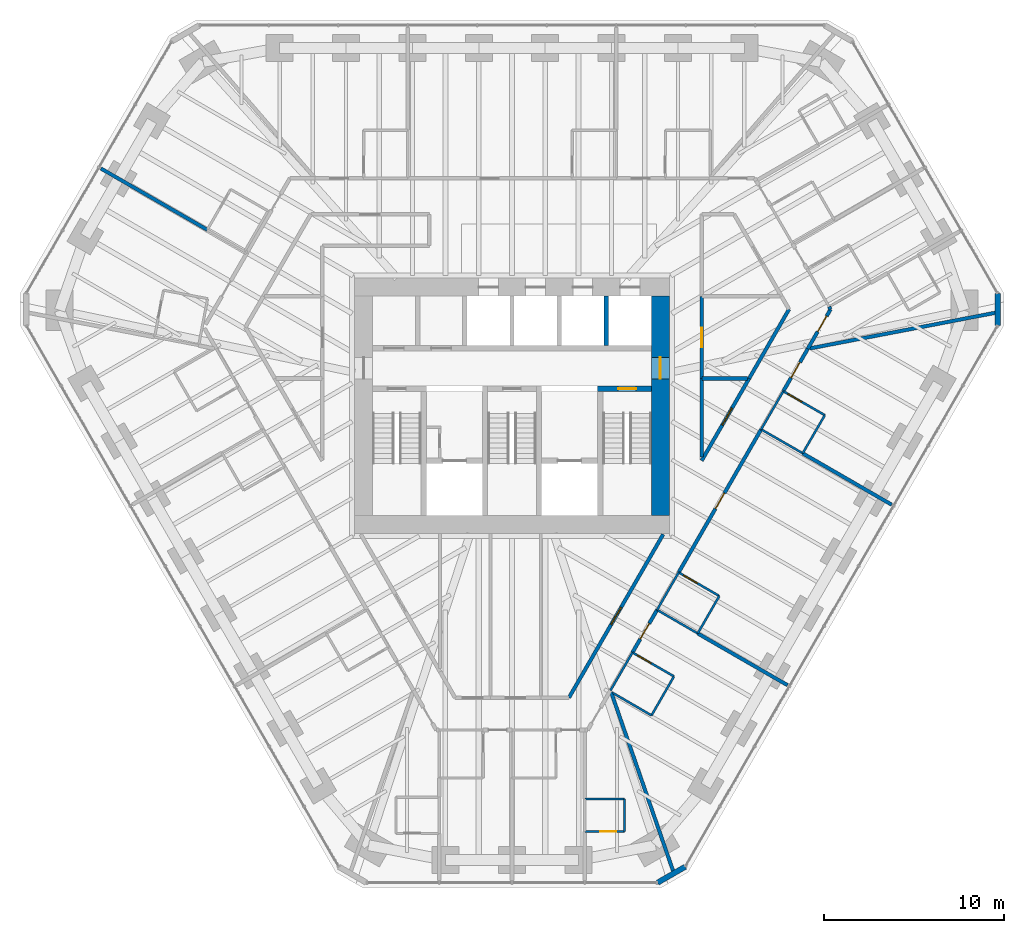
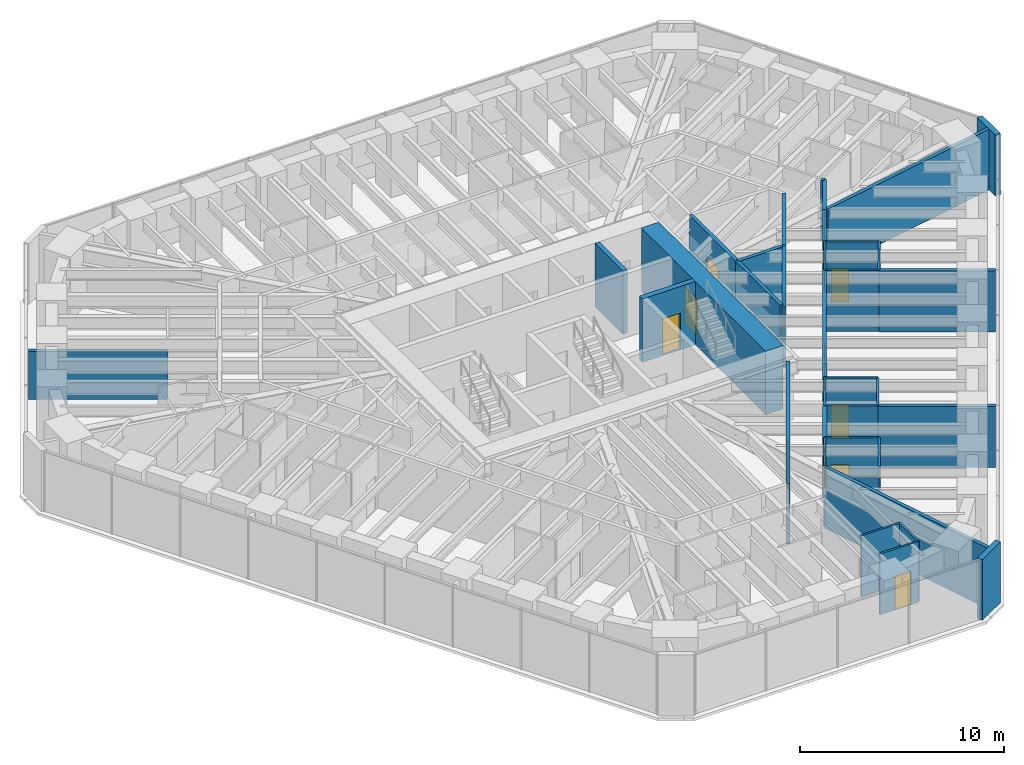
# One storey, part 13 of 17: 36 walls, 13 doors, 13 openings.
"""IFC4 building model written with IfcOpenShell, lengths in metres."""

from ifc_helpers import new_model, si_unit, direction, frame, frame_2d, origin, place, context, subcontext, project, spatial, rectangle, extrude, material, layer, layer_set, type_object, element, fill, save


model = new_model("IFC4")

# Units and contexts
model_context = context("Model", 3, precision=1e-05, world=origin(), true_north=direction((0.0, 1.0)))
body_context = subcontext(model_context, "Body", "Model", "MODEL_VIEW")
ifc_project = project(units=[si_unit("LENGTHUNIT", "METRE"), si_unit("AREAUNIT", "SQUARE_METRE"), si_unit("VOLUMEUNIT", "CUBIC_METRE"), si_unit("PLANEANGLEUNIT", "RADIAN"), si_unit("MASSUNIT", "GRAM", prefix="KILO")], contexts=[model_context])

# Site, building, storey
site_placement = place(None, origin())
site = spatial("IfcSite", under=ifc_project, at=site_placement, CompositionType="ELEMENT")
building_placement = place(site_placement, origin())
building = spatial("IfcBuilding", under=site, at=building_placement, Name="Sandreach Pilgrim Tower", CompositionType="ELEMENT")
storey_placement = place(building_placement, frame((0.0, 0.0, 221.199951171875)))
storey = spatial("IfcBuildingStorey", under=building, at=storey_placement, Name="L55", CompositionType="ELEMENT", Elevation=221.199951171875)

# Wall, opening, door
ifc_material_1 = material(Name="Moisture-resistant gypsum board on steel studs", Category="steel")
ifc_layer_1 = layer(ifc_material_1, 0.1201171875)
ifc_layer_set_1 = layer_set([ifc_layer_1], Name="Bathroom partition 120")
wall_type_1 = type_object("IfcWallType", Name="Bathroom partition 120", PredefinedType="PARTITIONING", material=ifc_layer_set_1)
wall_1_placement = place(storey_placement, frame((4.050048828125, -23.679931640625, 0.0), z_axis=(0.0, 0.0, 1.0), x_axis=(1.0, 0.0, 0.0)))
wall_1 = element("IfcWall", 1, at=wall_1_placement, inside=storey, type_object=wall_type_1, Name="Bathroom partition L55-085", PredefinedType="PARTITIONING", context=body_context, shape_type="SweptSolid", body=[
    extrude(rectangle(XDim=2.199951171875, YDim=0.1201171875, at=frame_2d((1.10009765625, 0.0))), origin(), (0.0, 0.0, 1.0), 3.64013671875),
])
opening_1_placement = place(wall_1_placement, frame((0.85009765625, 0.0, 0.0)))
opening_1 = element("IfcOpeningElement", 2, at=opening_1_placement, cuts=wall_1, Name="Opening D09-11B", PredefinedType="OPENING", context=body_context, shape_type="SweptSolid", body=[
    extrude(rectangle(XDim=0.89990234375, YDim=2.030029296875, at=frame_2d((0.449951171875, 1.01513671875))), frame((0.0, 0.06005859375, 0.0), z_axis=(0.0, -1.0, 0.0), x_axis=(1.0, 0.0, 0.0)), (0.0, 0.0, 1.0), 0.1201171875),
])
ifc_material_2 = material(Name="Timber door, steel frame", Category="steel")
door_type_1 = type_object("IfcDoorType", Name="Bathroom door", OperationType="SINGLE_SWING_LEFT", PredefinedType="DOOR", material=ifc_material_2)
door_1_placement = place(opening_1_placement, origin())
door_1 = element("IfcDoor", 3, at=door_1_placement, inside=storey, type_object=door_type_1, Name="Door 5511B", OperationType="SINGLE_SWING_RIGHT", OverallHeight=2.030029296875, OverallWidth=0.89990234375, PredefinedType="DOOR", context=body_context, shape_type="SweptSolid", body=[
    extrude(rectangle(XDim=0.89990234375, YDim=2.030029296875, at=frame_2d((0.449951171875, 1.01513671875))), frame((0.0, 0.02490234375, 0.0), z_axis=(0.0, -1.0, 0.0), x_axis=(1.0, 0.0, 0.0)), (0.0, 0.0, 1.0), 0.050048828125),
])
fill(opening_1, door_1)

# Walls
wall_2_placement = place(storey_placement, frame((5.47998046875, -15.830078125, 0.0), z_axis=(0.0, 0.0, 1.0), x_axis=(0.50122183301, 0.865318828013, 0.0)))
element("IfcWall", 4, at=wall_2_placement, inside=storey, type_object=wall_type_1, Name="Bathroom partition L55-089", PredefinedType="PARTITIONING", context=body_context, shape_type="SweptSolid", body=[
    extrude(rectangle(XDim=2.4375, YDim=0.1201171875, at=frame_2d((1.21875, 0.0))), origin(), (0.0, 0.0, 1.0), 3.64013671875),
])
wall_3_placement = place(storey_placement, frame((5.615234375, -15.97509765625, 0.0), z_axis=(0.0, 0.0, 1.0), x_axis=(0.864873056518, -0.501990633487, 0.0)))
element("IfcWall", 5, at=wall_3_placement, inside=storey, type_object=wall_type_1, Name="Bathroom partition L55-091", PredefinedType="PARTITIONING", context=body_context, shape_type="SweptSolid", body=[
    extrude(rectangle(XDim=2.47998046875, YDim=0.1201171875, at=frame_2d((1.239990234375, 0.0))), origin(), (0.0, 0.0, 1.0), 3.0380859375),
])
wall_4_placement = place(storey_placement, frame((6.25, -23.679931640625, 0.0), z_axis=(0.0, 0.0, 1.0), x_axis=(0.0, 1.0, 0.0)))
element("IfcWall", 6, at=wall_4_placement, inside=storey, type_object=wall_type_1, Name="Bathroom partition L55-096", PredefinedType="PARTITIONING", context=body_context, shape_type="SweptSolid", body=[
    extrude(rectangle(XDim=1.809814453125, YDim=0.1201171875, at=frame_2d((0.90478515625, 0.0))), origin(), (0.0, 0.0, 1.0), 3.64013671875),
])
wall_5_placement = place(storey_placement, frame((6.25, -21.8701171875, 0.0), z_axis=(0.0, 0.0, 1.0), x_axis=(-1.0, 0.0, 0.0)))
element("IfcWall", 7, at=wall_5_placement, inside=storey, type_object=wall_type_1, Name="Bathroom partition L55-097", PredefinedType="PARTITIONING", context=body_context, shape_type="SweptSolid", body=[
    extrude(rectangle(XDim=2.199951171875, YDim=0.1201171875, at=frame_2d((1.10009765625, 0.0))), origin(), (0.0, 0.0, 1.0), 3.64013671875),
])
wall_6_placement = place(storey_placement, frame((7.760009765625, -17.219970703125, 0.0), z_axis=(0.0, 0.0, 1.0), x_axis=(0.499159685399, 0.866510016372, 0.0)))
element("IfcWall", 8, at=wall_6_placement, inside=storey, type_object=wall_type_1, Name="Bathroom partition L55-098", PredefinedType="PARTITIONING", context=body_context, shape_type="SweptSolid", body=[
    extrude(rectangle(XDim=2.504150390625, YDim=0.1201171875, at=frame_2d((1.251953125, 0.0))), origin(), (0.0, 0.0, 1.0), 3.64013671875),
])
wall_7_placement = place(storey_placement, frame((8.070068359375, -11.35009765625, 0.0), z_axis=(0.0, 0.0, 1.0), x_axis=(0.499693115345, 0.866202511239, 0.0)))
element("IfcWall", 9, at=wall_7_placement, inside=storey, type_object=wall_type_1, Name="Bathroom partition L55-100", PredefinedType="PARTITIONING", context=body_context, shape_type="SweptSolid", body=[
    extrude(rectangle(XDim=2.4013671875, YDim=0.1201171875, at=frame_2d((1.20068359375, 0.0))), origin(), (0.0, 0.0, 1.0), 3.64013671875),
])
wall_8_placement = place(storey_placement, frame((8.070068359375, -11.35009765625, 0.0), z_axis=(0.0, 0.0, 1.0), x_axis=(0.865195830568, -0.501434118073, 0.0)))
element("IfcWall", 10, at=wall_8_placement, inside=storey, type_object=wall_type_1, Name="Bathroom partition L55-101", PredefinedType="PARTITIONING", context=body_context, shape_type="SweptSolid", body=[
    extrude(rectangle(XDim=2.612060546875, YDim=0.1201171875, at=frame_2d((1.30615234375, 0.0))), origin(), (0.0, 0.0, 1.0), 3.64013671875),
])

# Wall, opening, door
wall_9_placement = place(storey_placement, frame((9.010009765625, -15.050048828125, 0.0), z_axis=(0.0, 0.0, 1.0), x_axis=(-0.866615255992, 0.498976951453, 0.0)))
wall_9 = element("IfcWall", 11, at=wall_9_placement, inside=storey, type_object=wall_type_1, Name="Bathroom partition L55-105", PredefinedType="PARTITIONING", context=body_context, shape_type="SweptSolid", body=[
    extrude(rectangle(XDim=2.66552734375, YDim=0.1201171875, at=frame_2d((1.332763671875, 0.0))), origin(), (0.0, 0.0, 1.0), 3.64013671875),
])
opening_2_placement = place(wall_9_placement, frame((1.465576171875, 0.0, 0.0)))
opening_2 = element("IfcOpeningElement", 12, at=opening_2_placement, cuts=wall_9, Name="Opening D09-10B", PredefinedType="OPENING", context=body_context, shape_type="SweptSolid", body=[
    extrude(rectangle(XDim=0.89990234375, YDim=2.030029296875, at=frame_2d((0.449951171875, 1.01513671875))), frame((0.0, 0.06005859375, 0.0), z_axis=(0.0, -1.0, 0.0), x_axis=(1.0, 0.0, 0.0)), (0.0, 0.0, 1.0), 0.1201171875),
])
door_2_placement = place(opening_2_placement, origin())
door_2 = element("IfcDoor", 13, at=door_2_placement, inside=storey, type_object=door_type_1, Name="Door 5510B", OperationType="SINGLE_SWING_RIGHT", OverallHeight=2.030029296875, OverallWidth=0.89990234375, PredefinedType="DOOR", context=body_context, shape_type="SweptSolid", body=[
    extrude(rectangle(XDim=0.89990234375, YDim=2.030029296875, at=frame_2d((0.449951171875, 1.01513671875))), frame((0.0, 0.02490234375, 0.0), z_axis=(0.0, -1.0, 0.0), x_axis=(1.0, 0.0, 0.0)), (0.0, 0.0, 1.0), 0.050048828125),
])
fill(opening_2, door_2)

# Wall
wall_10_placement = place(storey_placement, frame((10.330078125, -12.659912109375, 0.0), z_axis=(0.0, 0.0, 1.0), x_axis=(0.499737123639, 0.866177122335, 0.0)))
element("IfcWall", 14, at=wall_10_placement, inside=storey, type_object=wall_type_1, Name="Bathroom partition L55-107", PredefinedType="PARTITIONING", context=body_context, shape_type="SweptSolid", body=[
    extrude(rectangle(XDim=2.401123046875, YDim=0.1201171875, at=frame_2d((1.20068359375, 0.0))), origin(), (0.0, 0.0, 1.0), 3.64013671875),
])

# Wall, opening, door
wall_11_placement = place(storey_placement, frame((11.530029296875, -10.580078125, 0.0), z_axis=(0.0, 0.0, 1.0), x_axis=(-0.865155281359, 0.50150407689, 0.0)))
wall_11 = element("IfcWall", 15, at=wall_11_placement, inside=storey, type_object=wall_type_1, Name="Bathroom partition L55-118", PredefinedType="PARTITIONING", context=body_context, shape_type="SweptSolid", body=[
    extrude(rectangle(XDim=2.6123046875, YDim=0.1201171875, at=frame_2d((1.30615234375, 0.0))), origin(), (0.0, 0.0, 1.0), 3.64013671875),
])
opening_3_placement = place(wall_11_placement, frame((1.412109375, 0.0, 0.0)))
opening_3 = element("IfcOpeningElement", 16, at=opening_3_placement, cuts=wall_11, Name="Opening D09-09B", PredefinedType="OPENING", context=body_context, shape_type="SweptSolid", body=[
    extrude(rectangle(XDim=0.89990234375, YDim=2.030029296875, at=frame_2d((0.449951171875, 1.01513671875))), frame((0.0, 0.06005859375, 0.0), z_axis=(0.0, -1.0, 0.0), x_axis=(1.0, 0.0, 0.0)), (0.0, 0.0, 1.0), 0.1201171875),
])
door_3_placement = place(opening_3_placement, origin())
door_3 = element("IfcDoor", 17, at=door_3_placement, inside=storey, type_object=door_type_1, Name="Door 5509B", OperationType="SINGLE_SWING_RIGHT", OverallHeight=2.030029296875, OverallWidth=0.89990234375, PredefinedType="DOOR", context=body_context, shape_type="SweptSolid", body=[
    extrude(rectangle(XDim=0.89990234375, YDim=2.030029296875, at=frame_2d((0.449951171875, 1.01513671875))), frame((0.0, 0.02490234375, 0.0), z_axis=(0.0, -1.0, 0.0), x_axis=(1.0, 0.0, 0.0)), (0.0, 0.0, 1.0), 0.050048828125),
])
fill(opening_3, door_3)

# Walls
wall_12_placement = place(storey_placement, frame((13.860107421875, -1.31005859375, 0.0), z_axis=(0.0, 0.0, 1.0), x_axis=(0.501813488763, 0.864975850817, 0.0)))
element("IfcWall", 18, at=wall_12_placement, inside=storey, type_object=wall_type_1, Name="Bathroom partition L55-125", PredefinedType="PARTITIONING", context=body_context, shape_type="SweptSolid", body=[
    extrude(rectangle(XDim=2.451171875, YDim=0.1201171875, at=frame_2d((1.2255859375, 0.0))), origin(), (0.0, 0.0, 1.0), 3.64013671875),
])
wall_13_placement = place(storey_placement, frame((16.169921875, -2.639892578125, 0.0), z_axis=(0.0, 0.0, 1.0), x_axis=(-0.86663205897, 0.498947767172, 0.0)))
element("IfcWall", 19, at=wall_13_placement, inside=storey, type_object=wall_type_1, Name="Bathroom partition L55-134", PredefinedType="PARTITIONING", context=body_context, shape_type="SweptSolid", body=[
    extrude(rectangle(XDim=2.665283203125, YDim=0.1201171875, at=frame_2d((1.33251953125, 0.0))), origin(), (0.0, 0.0, 1.0), 3.64013671875),
])
wall_14_placement = place(storey_placement, frame((16.169921875, -2.639892578125, 0.0), z_axis=(0.0, 0.0, 1.0), x_axis=(0.501856726365, 0.86495076519, 0.0)))
element("IfcWall", 20, at=wall_14_placement, inside=storey, type_object=wall_type_1, Name="Bathroom partition L55-135", PredefinedType="PARTITIONING", context=body_context, shape_type="SweptSolid", body=[
    extrude(rectangle(XDim=2.450927734375, YDim=0.1201171875, at=frame_2d((1.2255859375, 0.0))), origin(), (0.0, 0.0, 1.0), 3.64013671875),
])

# Wall, opening, door
wall_15_placement = place(storey_placement, frame((17.39990234375, -0.52001953125, 0.0), z_axis=(0.0, 0.0, 1.0), x_axis=(-0.866592449628, 0.499016559092, 0.0)))
wall_15 = element("IfcWall", 21, at=wall_15_placement, inside=storey, type_object=wall_type_1, Name="Bathroom partition L55-140", PredefinedType="PARTITIONING", context=body_context, shape_type="SweptSolid", body=[
    extrude(rectangle(XDim=2.665283203125, YDim=0.1201171875, at=frame_2d((1.33251953125, 0.0))), origin(), (0.0, 0.0, 1.0), 3.64013671875),
])
opening_4_placement = place(wall_15_placement, frame((1.465576171875, 0.0, 0.0)))
opening_4 = element("IfcOpeningElement", 22, at=opening_4_placement, cuts=wall_15, Name="Opening D09-08B", PredefinedType="OPENING", context=body_context, shape_type="SweptSolid", body=[
    extrude(rectangle(XDim=0.89990234375, YDim=2.030029296875, at=frame_2d((0.449951171875, 1.01513671875))), frame((0.0, 0.06005859375, 0.0), z_axis=(0.0, -1.0, 0.0), x_axis=(1.0, 0.0, 0.0)), (0.0, 0.0, 1.0), 0.1201171875),
])
door_4_placement = place(opening_4_placement, origin())
door_4 = element("IfcDoor", 23, at=door_4_placement, inside=storey, type_object=door_type_1, Name="Door 5508B", OperationType="SINGLE_SWING_RIGHT", OverallHeight=2.030029296875, OverallWidth=0.89990234375, PredefinedType="DOOR", context=body_context, shape_type="SweptSolid", body=[
    extrude(rectangle(XDim=0.89990234375, YDim=2.030029296875, at=frame_2d((0.449951171875, 1.01513671875))), frame((0.0, 0.02490234375, 0.0), z_axis=(0.0, -1.0, 0.0), x_axis=(1.0, 0.0, 0.0)), (0.0, 0.0, 1.0), 0.050048828125),
])
fill(opening_4, door_4)

ifc_material_3 = material(Name="Concrete 10000 psi", Category="concrete")
ifc_layer_2 = layer(ifc_material_3, 0.300048828125)
ifc_layer_set_2 = layer_set([ifc_layer_2], Name="Core inner wall 300")
wall_type_2 = type_object("IfcWallType", Name="Core inner wall 300", PredefinedType="SHEAR", material=ifc_layer_set_2)
wall_16_placement = place(storey_placement, frame((4.75, 0.949951171875, 0.0), z_axis=(0.0, 0.0, 1.0), x_axis=(1.0, 0.0, 0.0)))
wall_16 = element("IfcWall", 24, at=wall_16_placement, inside=storey, type_object=wall_type_2, Name="Core wall SN2 L55", PredefinedType="SHEAR", context=body_context, shape_type="SweptSolid", body=[
    extrude(rectangle(XDim=3.0, YDim=0.300048828125, at=frame_2d((1.5, 0.0))), origin(), (0.0, 0.0, 1.0), 3.800048828125),
])
opening_5_placement = place(wall_16_placement, frame((1.14990234375, 0.0, 0.0)))
opening_5 = element("IfcOpeningElement", 25, at=opening_5_placement, cuts=wall_16, Name="Opening D10S-ST2", PredefinedType="OPENING", context=body_context, shape_type="SweptSolid", body=[
    extrude(rectangle(XDim=1.0, YDim=2.199951171875, at=frame_2d((0.5, 1.10009765625))), frame((0.0, 0.14990234375, 0.0), z_axis=(0.0, -1.0, 0.0), x_axis=(1.0, 0.0, 0.0)), (0.0, 0.0, 1.0), 0.300048828125),
])
ifc_material_4 = material(Name="Steel door and frame", Category="steel")
door_type_2 = type_object("IfcDoorType", Name="Stair door", OperationType="SINGLE_SWING_LEFT", PredefinedType="DOOR", material=ifc_material_4)
door_5_placement = place(opening_5_placement, origin())
door_5 = element("IfcDoor", 26, at=door_5_placement, inside=storey, type_object=door_type_2, Name="Stair door ST2 L55", OperationType="SINGLE_SWING_RIGHT", OverallHeight=2.199951171875, OverallWidth=1.0, PredefinedType="DOOR", context=body_context, shape_type="SweptSolid", body=[
    extrude(rectangle(XDim=1.0, YDim=2.199951171875, at=frame_2d((0.5, 1.10009765625))), frame((0.0, 0.02490234375, 0.0), z_axis=(0.0, -1.0, 0.0), x_axis=(1.0, 0.0, 0.0)), (0.0, 0.0, 1.0), 0.050048828125),
])
fill(opening_5, door_5)

ifc_material_5 = material(Name="Concrete 10000 psi", Category="concrete")
ifc_layer_3 = layer(ifc_material_5, 1.0)
ifc_layer_set_3 = layer_set([ifc_layer_3], Name="Core wall 1000")
wall_type_3 = type_object("IfcWallType", Name="Core wall 1000", PredefinedType="SHEAR", material=ifc_layer_set_3)
wall_17_placement = place(storey_placement, frame((8.25, -6.10009765625, 0.0), z_axis=(0.0, 0.0, 1.0), x_axis=(0.0, 1.0, 0.0)))
wall_17 = element("IfcWall", 27, at=wall_17_placement, inside=storey, type_object=wall_type_3, Name="Core wall E L55", PredefinedType="SHEAR", context=body_context, shape_type="SweptSolid", body=[
    extrude(rectangle(XDim=12.2001953125, YDim=1.0, at=frame_2d((6.10009765625, 0.0))), origin(), (0.0, 0.0, 1.0), 3.800048828125),
])
opening_6_placement = place(wall_17_placement, frame((7.60009765625, 0.0, 0.0)))
opening_6 = element("IfcOpeningElement", 28, at=opening_6_placement, cuts=wall_17, Name="Opening D12F-E", PredefinedType="OPENING", context=body_context, shape_type="SweptSolid", body=[
    extrude(rectangle(XDim=1.199951171875, YDim=2.199951171875, at=frame_2d((0.60009765625, 1.10009765625))), frame((0.0, 0.5, 0.0), z_axis=(0.0, -1.0, 0.0), x_axis=(1.0, 0.0, 0.0)), (0.0, 0.0, 1.0), 1.0),
])
ifc_material_6 = material(Name="Steel door and frame", Category="steel")
door_type_3 = type_object("IfcDoorType", Name="Fire lobby door", OperationType="SINGLE_SWING_LEFT", PredefinedType="DOOR", material=ifc_material_6)
door_6_placement = place(opening_6_placement, origin())
door_6 = element("IfcDoor", 29, at=door_6_placement, inside=storey, type_object=door_type_3, Name="Fire service lobby door E L55", OperationType="SINGLE_SWING_RIGHT", OverallHeight=2.199951171875, OverallWidth=1.199951171875, PredefinedType="DOOR", context=body_context, shape_type="SweptSolid", body=[
    extrude(rectangle(XDim=1.199951171875, YDim=2.199951171875, at=frame_2d((0.60009765625, 1.10009765625))), frame((0.0, 0.02490234375, 0.0), z_axis=(0.0, -1.0, 0.0), x_axis=(1.0, 0.0, 0.0)), (0.0, 0.0, 1.0), 0.050048828125),
])
fill(opening_6, door_6)

ifc_material_7 = material(Name="Gypsum board on steel studs, two layers each side", Category="steel")
ifc_layer_4 = layer(ifc_material_7, 0.199951171875)
ifc_layer_set_4 = layer_set([ifc_layer_4], Name="Corridor wall 200")
wall_type_4 = type_object("IfcWallType", Name="Corridor wall 200", PredefinedType="PARTITIONING", material=ifc_layer_set_4)
wall_18_placement = place(storey_placement, frame((8.070068359375, -11.35009765625, 0.0), z_axis=(0.0, 0.0, 1.0), x_axis=(-0.499889730522, -0.866089058537, 0.0)))
wall_18 = element("IfcWall", 30, at=wall_18_placement, inside=storey, type_object=wall_type_4, Name="Corridor wall L55-099", PredefinedType="PARTITIONING", context=body_context, shape_type="SweptSolid", body=[
    extrude(rectangle(XDim=2.7373046875, YDim=0.199951171875, at=frame_2d((1.36865234375, 0.0))), origin(), (0.0, 0.0, 1.0), 3.64013671875),
])
opening_7_placement = place(wall_18_placement, frame((0.868896484375, 0.0, 0.0)))
opening_7 = element("IfcOpeningElement", 31, at=opening_7_placement, cuts=wall_18, Name="Opening D10-10", PredefinedType="OPENING", context=body_context, shape_type="SweptSolid", body=[
    extrude(rectangle(XDim=1.0, YDim=2.1298828125, at=frame_2d((0.5, 1.06494140625))), frame((0.0, 0.10009765625, 0.0), z_axis=(0.0, -1.0, 0.0), x_axis=(1.0, 0.0, 0.0)), (0.0, 0.0, 1.0), 0.199951171875),
])
ifc_material_8 = material(Name="Steel door and frame", Category="steel")
door_type_4 = type_object("IfcDoorType", Name="Guest room entry door", OperationType="SINGLE_SWING_LEFT", PredefinedType="DOOR", material=ifc_material_8)
door_7_placement = place(opening_7_placement, origin())
door_7 = element("IfcDoor", 32, at=door_7_placement, inside=storey, type_object=door_type_4, Name="Door 5510", OperationType="SINGLE_SWING_LEFT", OverallHeight=2.1298828125, OverallWidth=1.0, PredefinedType="DOOR", context=body_context, shape_type="SweptSolid", body=[
    extrude(rectangle(XDim=1.0, YDim=2.1298828125, at=frame_2d((0.5, 1.06494140625))), frame((0.0, 0.02490234375, 0.0), z_axis=(0.0, -1.0, 0.0), x_axis=(1.0, 0.0, 0.0)), (0.0, 0.0, 1.0), 0.050048828125),
])
fill(opening_7, door_7)

wall_19_placement = place(storey_placement, frame((8.409912109375, -7.14990234375, 0.0), z_axis=(0.0, 0.0, 1.0), x_axis=(-0.499828628176, -0.866124322748, 0.0)))
wall_19 = element("IfcWall", 33, at=wall_19_placement, inside=storey, type_object=wall_type_4, Name="Corridor wall L55-102", PredefinedType="PARTITIONING", context=body_context, shape_type="SweptSolid", body=[
    extrude(rectangle(XDim=10.483642578125, YDim=0.199951171875, at=frame_2d((5.24169921875, 0.0))), origin(), (0.0, 0.0, 1.0), 3.64013671875),
])
opening_8_placement = place(wall_19_placement, frame((4.691650390625, 0.0, 0.0)))
opening_8 = element("IfcOpeningElement", 34, at=opening_8_placement, cuts=wall_19, Name="Opening D11H-S4", PredefinedType="OPENING", context=body_context, shape_type="SweptSolid", body=[
    extrude(rectangle(XDim=1.10009765625, YDim=2.199951171875, at=frame_2d((0.550048828125, 1.10009765625))), frame((0.0, 0.10009765625, 0.0), z_axis=(0.0, -1.0, 0.0), x_axis=(1.0, 0.0, 0.0)), (0.0, 0.0, 1.0), 0.199951171875),
])
ifc_material_9 = material(Name="Steel door and frame", Category="steel")
door_type_5 = type_object("IfcDoorType", Name="Back of house door", OperationType="SINGLE_SWING_LEFT", PredefinedType="DOOR", material=ifc_material_9)
door_8_placement = place(opening_8_placement, origin())
door_8 = element("IfcDoor", 35, at=door_8_placement, inside=storey, type_object=door_type_5, Name="Door 55S4", OperationType="SINGLE_SWING_LEFT", OverallHeight=2.199951171875, OverallWidth=1.10009765625, PredefinedType="DOOR", context=body_context, shape_type="SweptSolid", body=[
    extrude(rectangle(XDim=1.10009765625, YDim=2.199951171875, at=frame_2d((0.550048828125, 1.10009765625))), frame((0.0, 0.02490234375, 0.0), z_axis=(0.0, -1.0, 0.0), x_axis=(1.0, 0.0, 0.0)), (0.0, 0.0, 1.0), 0.050048828125),
])
fill(opening_8, door_8)

wall_20_placement = place(storey_placement, frame((9.27001953125, -9.27001953125, 0.0), z_axis=(0.0, 0.0, 1.0), x_axis=(0.499543028754, 0.866289075554, 0.0)))
wall_20 = element("IfcWall", 36, at=wall_20_placement, inside=storey, type_object=wall_type_4, Name="Corridor wall L55-106", PredefinedType="PARTITIONING", context=body_context, shape_type="SweptSolid", body=[
    extrude(rectangle(XDim=9.1884765625, YDim=0.199951171875, at=frame_2d((4.59423828125, 0.0))), origin(), (0.0, 0.0, 1.0), 3.64013671875),
])
opening_9_placement = place(wall_20_placement, frame((4.09423828125, 0.0, 0.0)))
opening_9 = element("IfcOpeningElement", 37, at=opening_9_placement, cuts=wall_20, Name="Opening D10-09", PredefinedType="OPENING", context=body_context, shape_type="SweptSolid", body=[
    extrude(rectangle(XDim=1.0, YDim=2.1298828125, at=frame_2d((0.5, 1.06494140625))), frame((0.0, 0.10009765625, 0.0), z_axis=(0.0, -1.0, 0.0), x_axis=(1.0, 0.0, 0.0)), (0.0, 0.0, 1.0), 0.199951171875),
])
door_9_placement = place(opening_9_placement, origin())
door_9 = element("IfcDoor", 38, at=door_9_placement, inside=storey, type_object=door_type_4, Name="Door 5509", OperationType="SINGLE_SWING_LEFT", OverallHeight=2.1298828125, OverallWidth=1.0, PredefinedType="DOOR", context=body_context, shape_type="SweptSolid", body=[
    extrude(rectangle(XDim=1.0, YDim=2.1298828125, at=frame_2d((0.5, 1.06494140625))), frame((0.0, 0.02490234375, 0.0), z_axis=(0.0, -1.0, 0.0), x_axis=(1.0, 0.0, 0.0)), (0.0, 0.0, 1.0), 0.050048828125),
])
fill(opening_9, door_9)

# Wall
wall_21_placement = place(storey_placement, frame((10.550048828125, -2.85498046875, 0.0), z_axis=(0.0, 0.0, 1.0), x_axis=(0.0, 1.0, 0.0)))
element("IfcWall", 39, at=wall_21_placement, inside=storey, type_object=wall_type_4, Name="Corridor wall L55-109", PredefinedType="PARTITIONING", context=body_context, shape_type="SweptSolid", body=[
    extrude(rectangle(XDim=4.375, YDim=0.199951171875, at=frame_2d((2.1875, 0.0))), origin(), (0.0, 0.0, 1.0), 3.64013671875),
])

# Wall, opening, door
wall_22_placement = place(storey_placement, frame((10.550048828125, 1.52001953125, 0.0), z_axis=(0.0, 0.0, 1.0), x_axis=(0.0, 1.0, 0.0)))
wall_22 = element("IfcWall", 40, at=wall_22_placement, inside=storey, type_object=wall_type_4, Name="Corridor wall L55-110", PredefinedType="PARTITIONING", context=body_context, shape_type="SweptSolid", body=[
    extrude(rectangle(XDim=4.570068359375, YDim=0.199951171875, at=frame_2d((2.28515625, 0.0))), origin(), (0.0, 0.0, 1.0), 3.64013671875),
])
opening_10_placement = place(wall_22_placement, frame((1.735107421875, 0.0, 0.0)))
opening_10 = element("IfcOpeningElement", 41, at=opening_10_placement, cuts=wall_22, Name="Opening D11H-M06", PredefinedType="OPENING", context=body_context, shape_type="SweptSolid", body=[
    extrude(rectangle(XDim=1.10009765625, YDim=2.199951171875, at=frame_2d((0.550048828125, 1.10009765625))), frame((0.0, 0.10009765625, 0.0), z_axis=(0.0, -1.0, 0.0), x_axis=(1.0, 0.0, 0.0)), (0.0, 0.0, 1.0), 0.199951171875),
])
door_10_placement = place(opening_10_placement, origin())
door_10 = element("IfcDoor", 42, at=door_10_placement, inside=storey, type_object=door_type_5, Name="Door 55M06", OperationType="SINGLE_SWING_LEFT", OverallHeight=2.199951171875, OverallWidth=1.10009765625, PredefinedType="DOOR", context=body_context, shape_type="SweptSolid", body=[
    extrude(rectangle(XDim=1.10009765625, YDim=2.199951171875, at=frame_2d((0.550048828125, 1.10009765625))), frame((0.0, 0.02490234375, 0.0), z_axis=(0.0, -1.0, 0.0), x_axis=(1.0, 0.0, 0.0)), (0.0, 0.0, 1.0), 0.050048828125),
])
fill(opening_10, door_10)

wall_23_placement = place(storey_placement, frame((13.18994140625, 1.52001953125, 0.0), z_axis=(0.0, 0.0, 1.0), x_axis=(-0.500193590286, -0.865913605527, 0.0)))
wall_23 = element("IfcWall", 43, at=wall_23_placement, inside=storey, type_object=wall_type_4, Name="Corridor wall L55-120", PredefinedType="PARTITIONING", context=body_context, shape_type="SweptSolid", body=[
    extrude(rectangle(XDim=5.27783203125, YDim=0.199951171875, at=frame_2d((2.638916015625, 0.0))), origin(), (0.0, 0.0, 1.0), 3.64013671875),
])
opening_11_placement = place(wall_23_placement, frame((1.89990234375, 0.0, 0.0)))
opening_11 = element("IfcOpeningElement", 44, at=opening_11_placement, cuts=wall_23, Name="Opening D11H-M04", PredefinedType="OPENING", context=body_context, shape_type="SweptSolid", body=[
    extrude(rectangle(XDim=1.10009765625, YDim=2.199951171875, at=frame_2d((0.550048828125, 1.10009765625))), frame((0.0, 0.10009765625, 0.0), z_axis=(0.0, -1.0, 0.0), x_axis=(1.0, 0.0, 0.0)), (0.0, 0.0, 1.0), 0.199951171875),
])
door_11_placement = place(opening_11_placement, origin())
door_11 = element("IfcDoor", 45, at=door_11_placement, inside=storey, type_object=door_type_5, Name="Door 55M04", OperationType="SINGLE_SWING_LEFT", OverallHeight=2.199951171875, OverallWidth=1.10009765625, PredefinedType="DOOR", context=body_context, shape_type="SweptSolid", body=[
    extrude(rectangle(XDim=1.10009765625, YDim=2.199951171875, at=frame_2d((0.550048828125, 1.10009765625))), frame((0.0, 0.02490234375, 0.0), z_axis=(0.0, -1.0, 0.0), x_axis=(1.0, 0.0, 0.0)), (0.0, 0.0, 1.0), 0.050048828125),
])
fill(opening_11, door_11)

wall_24_placement = place(storey_placement, frame((15.090087890625, 0.81005859375, 0.0), z_axis=(0.0, 0.0, 1.0), x_axis=(0.499282656393, 0.866439166373, 0.0)))
wall_24 = element("IfcWall", 46, at=wall_24_placement, inside=storey, type_object=wall_type_4, Name="Corridor wall L55-129", PredefinedType="PARTITIONING", context=body_context, shape_type="SweptSolid", body=[
    extrude(rectangle(XDim=2.7236328125, YDim=0.199951171875, at=frame_2d((1.36181640625, 0.0))), origin(), (0.0, 0.0, 1.0), 3.64013671875),
])
opening_12_placement = place(wall_24_placement, frame((0.86181640625, 0.0, 0.0)))
opening_12 = element("IfcOpeningElement", 47, at=opening_12_placement, cuts=wall_24, Name="Opening D10-08", PredefinedType="OPENING", context=body_context, shape_type="SweptSolid", body=[
    extrude(rectangle(XDim=1.0, YDim=2.1298828125, at=frame_2d((0.5, 1.06494140625))), frame((0.0, 0.10009765625, 0.0), z_axis=(0.0, -1.0, 0.0), x_axis=(1.0, 0.0, 0.0)), (0.0, 0.0, 1.0), 0.199951171875),
])
door_12_placement = place(opening_12_placement, origin())
door_12 = element("IfcDoor", 48, at=door_12_placement, inside=storey, type_object=door_type_4, Name="Door 5508", OperationType="SINGLE_SWING_LEFT", OverallHeight=2.1298828125, OverallWidth=1.0, PredefinedType="DOOR", context=body_context, shape_type="SweptSolid", body=[
    extrude(rectangle(XDim=1.0, YDim=2.1298828125, at=frame_2d((0.5, 1.06494140625))), frame((0.0, 0.02490234375, 0.0), z_axis=(0.0, -1.0, 0.0), x_axis=(1.0, 0.0, 0.0)), (0.0, 0.0, 1.0), 0.050048828125),
])
fill(opening_12, door_12)

# Wall
wall_25_placement = place(storey_placement, frame((15.409912109375, 5.3701171875, 0.0), z_axis=(0.0, 0.0, 1.0), x_axis=(-0.499513190454, -0.866306281036, 0.0)))
element("IfcWall", 49, at=wall_25_placement, inside=storey, type_object=wall_type_4, Name="Corridor wall L55-130", PredefinedType="PARTITIONING", context=body_context, shape_type="SweptSolid", body=[
    extrude(rectangle(XDim=4.4443359375, YDim=0.199951171875, at=frame_2d((2.22216796875, 0.0))), origin(), (0.0, 0.0, 1.0), 3.64013671875),
])

# Wall, opening, door
wall_26_placement = place(storey_placement, frame((16.449951171875, 3.169921875, 0.0), z_axis=(0.0, 0.0, 1.0), x_axis=(0.499922110319, 0.866070368743, 0.0)))
wall_26 = element("IfcWall", 50, at=wall_26_placement, inside=storey, type_object=wall_type_4, Name="Corridor wall L55-137", PredefinedType="PARTITIONING", context=body_context, shape_type="SweptSolid", body=[
    extrude(rectangle(XDim=2.54052734375, YDim=0.199951171875, at=frame_2d((1.270263671875, 0.0))), origin(), (0.0, 0.0, 1.0), 3.64013671875),
])
opening_13_placement = place(wall_26_placement, frame((1.10009765625, 0.0, 0.0)))
opening_13 = element("IfcOpeningElement", 51, at=opening_13_placement, cuts=wall_26, Name="Opening D10-07", PredefinedType="OPENING", context=body_context, shape_type="SweptSolid", body=[
    extrude(rectangle(XDim=1.0, YDim=2.1298828125, at=frame_2d((0.5, 1.06494140625))), frame((0.0, 0.10009765625, 0.0), z_axis=(0.0, -1.0, 0.0), x_axis=(1.0, 0.0, 0.0)), (0.0, 0.0, 1.0), 0.199951171875),
])
door_13_placement = place(opening_13_placement, origin())
door_13 = element("IfcDoor", 52, at=door_13_placement, inside=storey, type_object=door_type_4, Name="Door 5507", OperationType="SINGLE_SWING_RIGHT", OverallHeight=2.1298828125, OverallWidth=1.0, PredefinedType="DOOR", context=body_context, shape_type="SweptSolid", body=[
    extrude(rectangle(XDim=1.0, YDim=2.1298828125, at=frame_2d((0.5, 1.06494140625))), frame((0.0, 0.02490234375, 0.0), z_axis=(0.0, -1.0, 0.0), x_axis=(1.0, 0.0, 0.0)), (0.0, 0.0, 1.0), 0.050048828125),
])
fill(opening_13, door_13)

# Walls
wall_27_placement = place(storey_placement, frame((17.719970703125, 5.3701171875, 0.0), z_axis=(0.0, 0.0, 1.0), x_axis=(-0.540386452408, 0.841416948994, 0.0)))
element("IfcWall", 53, at=wall_27_placement, inside=storey, type_object=wall_type_4, Name="Corridor wall L55-143", PredefinedType="PARTITIONING", context=body_context, shape_type="SweptSolid", body=[
    extrude(rectangle(XDim=0.166259765625, YDim=0.199951171875, at=frame_2d((0.0830078125, 0.0))), origin(), (0.0, 0.0, 1.0), 3.64013671875),
])
ifc_material_10 = material(Name="Double steel stud acoustic wall, gypsum board", Category="steel")
ifc_layer_5 = layer(ifc_material_10, 0.199951171875)
ifc_layer_set_5 = layer_set([ifc_layer_5], Name="Party wall 200")
wall_type_5 = type_object("IfcWallType", Name="Party wall 200", PredefinedType="PARTITIONING", material=ifc_layer_set_5)
wall_28_placement = place(storey_placement, frame((-16.949951171875, 9.7900390625, 0.0), z_axis=(0.0, 0.0, 1.0), x_axis=(-0.866371236465, 0.499400521251, 0.0)))
element("IfcWall", 54, at=wall_28_placement, inside=storey, type_object=wall_type_5, Name="Party wall L55-011", PredefinedType="PARTITIONING", context=body_context, shape_type="SweptSolid", body=[
    extrude(rectangle(XDim=6.82861328125, YDim=0.199951171875, at=frame_2d((3.414306640625, 0.0))), origin(), (0.0, 0.0, 1.0), 2.8779296875),
])
wall_29_placement = place(storey_placement, frame((5.515380859375, -15.93212890625, 0.0), z_axis=(0.0, 0.0, 1.0), x_axis=(0.327594697431, -0.944818349851, 0.0)))
element("IfcWall", 55, at=wall_29_placement, inside=storey, type_object=wall_type_5, Name="Party wall L55-090", PredefinedType="PARTITIONING", context=body_context, shape_type="SweptSolid", body=[
    extrude(rectangle(XDim=10.668212890625, YDim=0.199951171875, at=frame_2d((5.333984375, 0.0))), origin(), (0.0, 0.0, 1.0), 3.64013671875),
])
wall_30_placement = place(storey_placement, frame((10.330078125, -12.659912109375, 0.0), z_axis=(0.0, 0.0, 1.0), x_axis=(0.866342721203, -0.499449986905, 0.0)))
element("IfcWall", 56, at=wall_30_placement, inside=storey, type_object=wall_type_5, Name="Party wall L55-108", PredefinedType="PARTITIONING", context=body_context, shape_type="SweptSolid", body=[
    extrude(rectangle(XDim=5.7666015625, YDim=0.199951171875, at=frame_2d((2.88330078125, 0.0))), origin(), (0.0, 0.0, 1.0), 3.64013671875),
])
wall_31_placement = place(storey_placement, frame((10.56005859375, 1.52001953125, 0.0), z_axis=(0.0, 0.0, 1.0), x_axis=(1.0, 0.0, 0.0)))
element("IfcWall", 57, at=wall_31_placement, inside=storey, type_object=wall_type_5, Name="Party wall L55-112", PredefinedType="PARTITIONING", context=body_context, shape_type="SweptSolid", body=[
    extrude(rectangle(XDim=2.550048828125, YDim=0.199951171875, at=frame_2d((1.27490234375, 0.0))), origin(), (0.0, 0.0, 1.0), 3.64013671875),
])
wall_32_placement = place(storey_placement, frame((16.168212890625, -2.642822265625, 0.0), z_axis=(0.0, 0.0, 1.0), x_axis=(0.865980633471, -0.500077536441, 0.0)))
element("IfcWall", 58, at=wall_32_placement, inside=storey, type_object=wall_type_5, Name="Party wall L55-133", PredefinedType="PARTITIONING", context=body_context, shape_type="SweptSolid", body=[
    extrude(rectangle(XDim=5.71337890625, YDim=0.199951171875, at=frame_2d((2.856689453125, 0.0))), origin(), (0.0, 0.0, 1.0), 3.64013671875),
])
wall_33_placement = place(storey_placement, frame((27.04052734375, 5.204345703125, 0.0), z_axis=(0.0, 0.0, 1.0), x_axis=(-0.98204561609, -0.188643600256, 0.0)))
element("IfcWall", 59, at=wall_33_placement, inside=storey, type_object=wall_type_5, Name="Party wall L55-157", PredefinedType="PARTITIONING", context=body_context, shape_type="SweptSolid", body=[
    extrude(rectangle(XDim=10.6640625, YDim=0.199951171875, at=frame_2d((5.33203125, 0.0))), origin(), (0.0, 0.0, 1.0), 3.64013671875),
])
ifc_material_11 = material(Name="Gypsum shaft wall on steel studs, two layers of shaft liner board", Category="steel")
ifc_layer_6 = layer(ifc_material_11, 0.25)
ifc_layer_set_6 = layer_set([ifc_layer_6], Name="Shaft partition 250")
wall_type_6 = type_object("IfcWallType", Name="Shaft partition 250", PredefinedType="PARTITIONING", material=ifc_layer_set_6)
wall_34_placement = place(storey_placement, frame((5.25, 3.35009765625, 0.0), z_axis=(0.0, 0.0, 1.0), x_axis=(0.0, 1.0, 0.0)))
element("IfcWall", 60, at=wall_34_placement, inside=storey, type_object=wall_type_6, Name="Shaft partition NS4 L55", PredefinedType="PARTITIONING", context=body_context, shape_type="SweptSolid", body=[
    extrude(rectangle(XDim=2.75, YDim=0.25, at=frame_2d((1.375, 0.0))), origin(), (0.0, 0.0, 1.0), 3.800048828125),
])
ifc_material_12 = material(Name="Terracotta rainscreen on concrete", Category="masonry")
ifc_layer_7 = layer(ifc_material_12, 0.300048828125)
ifc_layer_set_7 = layer_set([ifc_layer_7], Name="Terracotta chamfer pier")
wall_type_7 = type_object("IfcWallType", Name="Terracotta chamfer pier", PredefinedType="SOLIDWALL", material=ifc_layer_set_7)
for number, where, z_axis, x_axis, name in (
    (61, (27.02001953125, 6.25, 0.0), (0.0, 0.0, 1.0), (0.0, -1.0, 0.0), "Chamfer pier L55 NE"),
    (62, (9.63037109375, -25.64013671875, 0.0), (0.0, 0.0, 1.0), (-0.866036293601, -0.499981137809, 0.0), "Chamfer pier L55 SE"),
):
    element("IfcWall", number, at=place(storey_placement, frame(where, z_axis=z_axis, x_axis=x_axis)), inside=storey, type_object=wall_type_7, Name=name, PredefinedType="SOLIDWALL", context=body_context, shape_type="SweptSolid", body=[
        extrude(rectangle(XDim=1.77001953125, YDim=0.300048828125, at=frame_2d((0.885009765625, 0.0))), origin(), (0.0, 0.0, 1.0), 3.64013671875),
    ])

save(model, "model.ifc")
